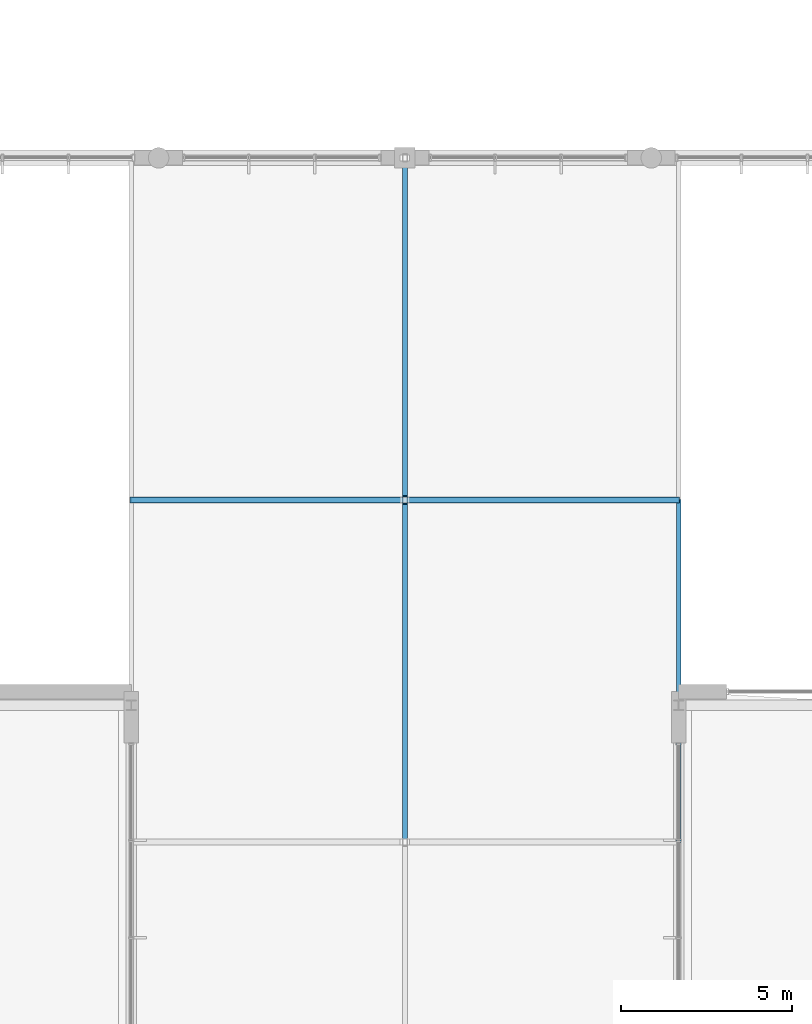
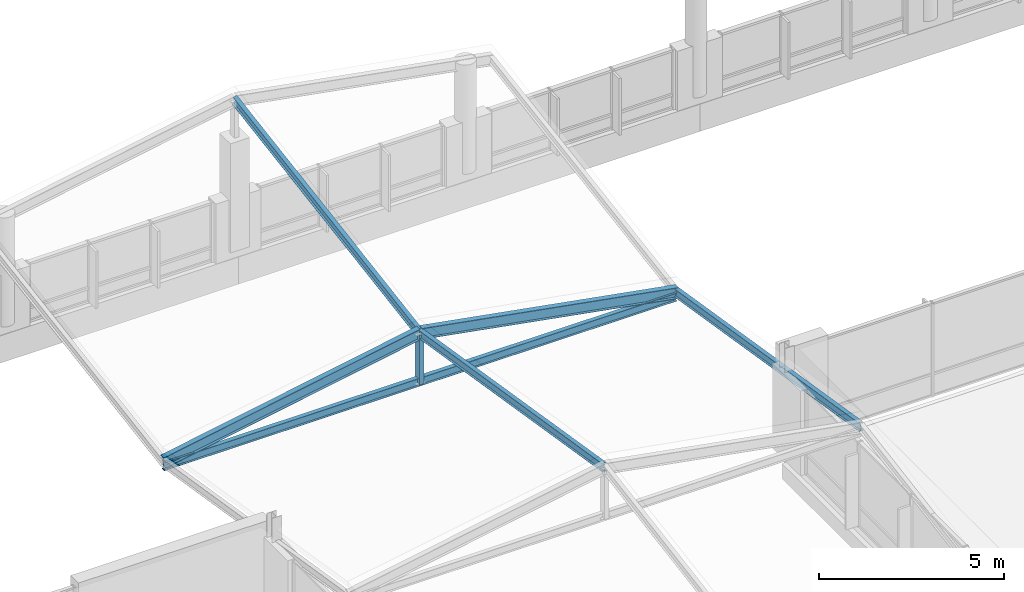
# One storey, part 49 of 189: 6 members, 1 beam.
"""IFC4 building model written with IfcOpenShell, lengths in metres."""

from ifc_helpers import new_model, si_unit, direction, frame, origin, origin_2d, place, context, subcontext, project, spatial, hollow_rectangle, i_section, extrude, material, material_profile, profile_set, type_object, element, save


model = new_model("IFC4")

# Units and contexts
model_context = context("Model", 3, precision=1e-05, world=origin(), true_north=direction((0.0, 1.0)))
body_context = subcontext(model_context, "Body", "Model", "MODEL_VIEW")
ifc_project = project(units=[si_unit("LENGTHUNIT", "METRE"), si_unit("AREAUNIT", "SQUARE_METRE"), si_unit("VOLUMEUNIT", "CUBIC_METRE"), si_unit("PLANEANGLEUNIT", "RADIAN"), si_unit("MASSUNIT", "GRAM", prefix="KILO")], contexts=[model_context])

# Site, building, storey
site_placement = place(None, origin())
site = spatial("IfcSite", under=ifc_project, at=site_placement, CompositionType="ELEMENT")
building_placement = place(site_placement, origin())
building = spatial("IfcBuilding", under=site, at=building_placement, Name="Zavelmont Quarter", CompositionType="ELEMENT")
storey_placement = place(building_placement, frame((0.0, 0.0, 4.39990234375)))
storey = spatial("IfcBuildingStorey", under=building, at=storey_placement, Name="L01", CompositionType="ELEMENT", Elevation=4.39990234375)

# Beam
ifc_material = material(Name="Steel S355", Category="steel")
ifc_material_profile_1 = material_profile(ifc_material, i_section(OverallWidth=0.135009765625, OverallDepth=0.27001953125, WebThickness=0.006591796875, FlangeThickness=0.01025390625, at=origin_2d()), Name="IPE 270")
ifc_profile_set_1 = profile_set([ifc_material_profile_1], Name="Steel S355")
beam_type = type_object("IfcBeamType", Name="BM14", PredefinedType="JOIST", material=ifc_profile_set_1)
beam_placement = place(storey_placement, frame((76.0, 20.0, 1.565185546875), z_axis=(1.0, 0.0, 0.0), x_axis=(0.0, 1.0, 0.0)))
element("IfcBeam", 1, at=beam_placement, inside=storey, type_object=beam_type, Name="L01 beam BM14 12/D to 14/D", PredefinedType="JOIST", context=body_context, shape_type="SweptSolid", body=[
    extrude(i_section(OverallWidth=0.135009765625, OverallDepth=0.27001953125, WebThickness=0.006591796875, FlangeThickness=0.01025390625, at=origin_2d()), origin(), (0.0, 0.0, 1.0), 16.0),
])

# Members
ifc_material_profile_2 = material_profile(ifc_material, hollow_rectangle(XDim=0.139892578125, YDim=0.239990234375, WallThickness=0.010009765625, at=origin_2d()), Name="RHS 240X140X10")
ifc_profile_set_2 = profile_set([ifc_material_profile_2], Name="Steel S355")
member_type_1 = type_object("IfcMemberType", Name="CLM1", PredefinedType="CHORD", material=ifc_profile_set_2)
member_placement = place(storey_placement, frame((84.0, 20.0, 1.52001953125), z_axis=(0.0, 0.0, 1.0), x_axis=(1.0, 0.0, 0.0)))
element("IfcMember", 2, at=member_placement, inside=storey, type_object=member_type_1, Name="L01 member CLM1 13/D to 13/D", PredefinedType="CHORD", context=body_context, shape_type="SweptSolid", body=[
    extrude(hollow_rectangle(XDim=0.139892578125, YDim=0.239990234375, WallThickness=0.010009765625, at=origin_2d()), origin(), (0.0, 0.0, 1.0), 1.630126953125),
])
ifc_material_profile_3 = material_profile(ifc_material, i_section(OverallWidth=0.135009765625, OverallDepth=0.27001953125, WebThickness=0.006591796875, FlangeThickness=0.01025390625, at=origin_2d()), Name="IPE 270")
ifc_profile_set_3 = profile_set([ifc_material_profile_3], Name="Steel S355")
member_type_2 = type_object("IfcMemberType", Name="PR01", PredefinedType="PURLIN", material=ifc_profile_set_3)
for number, where, z_axis, x_axis, name in (
    (3, (92.0, 10.0, 3.320068359375), (0.0, 0.987132736639, -0.159902971377), (-1.0, 0.0, 0.0), "L01 member PR01 14/C to 14/D"),
    (4, (84.0, 10.0, 4.77001953125), (0.0, 0.987132736639, -0.159902971377), (-1.0, 0.0, 0.0), "L01 member PR01 13/C to 13/D"),
    (5, (84.0, 20.0, 3.150146484375), (0.0, 0.987132736639, 0.159902971377), (-1.0, 0.0, 0.0), "L01 member PR01 13/D to 13/F"),
):
    element("IfcMember", number, at=place(storey_placement, frame(where, z_axis=z_axis, x_axis=x_axis)), inside=storey, type_object=member_type_2, Name=name, PredefinedType="PURLIN", context=body_context, shape_type="SweptSolid", body=[
        extrude(i_section(OverallWidth=0.135009765625, OverallDepth=0.27001953125, WebThickness=0.006591796875, FlangeThickness=0.01025390625, at=origin_2d()), origin(), (0.0, 0.0, 1.0), 10.13037109375),
    ])
ifc_material_profile_4 = material_profile(ifc_material, i_section(OverallWidth=0.169921875, OverallDepth=0.360107421875, WebThickness=0.008056640625, FlangeThickness=0.0126953125, at=origin_2d()), Name="IPE 360")
ifc_profile_set_4 = profile_set([ifc_material_profile_4], Name="Steel S355")
member_type_3 = type_object("IfcMemberType", Name="RFM2", PredefinedType="RAFTER", material=ifc_profile_set_4)
for number, where, z_axis, x_axis, name in (
    (6, (76.0, 20.0, 1.7001953125), (0.983969211964, 0.0, 0.178338413997), (0.0, 1.0, 0.0), "L01 member RFM2 12/D to 13/D"),
    (7, (84.0, 20.0, 3.150146484375), (0.983969211964, 0.0, -0.178338413997), (0.0, 1.0, 0.0), "L01 member RFM2 13/D to 14/D"),
):
    element("IfcMember", number, at=place(storey_placement, frame(where, z_axis=z_axis, x_axis=x_axis)), inside=storey, type_object=member_type_3, Name=name, PredefinedType="RAFTER", context=body_context, shape_type="SweptSolid", body=[
        extrude(i_section(OverallWidth=0.169921875, OverallDepth=0.360107421875, WebThickness=0.008056640625, FlangeThickness=0.0126953125, at=origin_2d()), origin(), (0.0, 0.0, 1.0), 8.13037109375),
    ])

save(model, "model.ifc")
